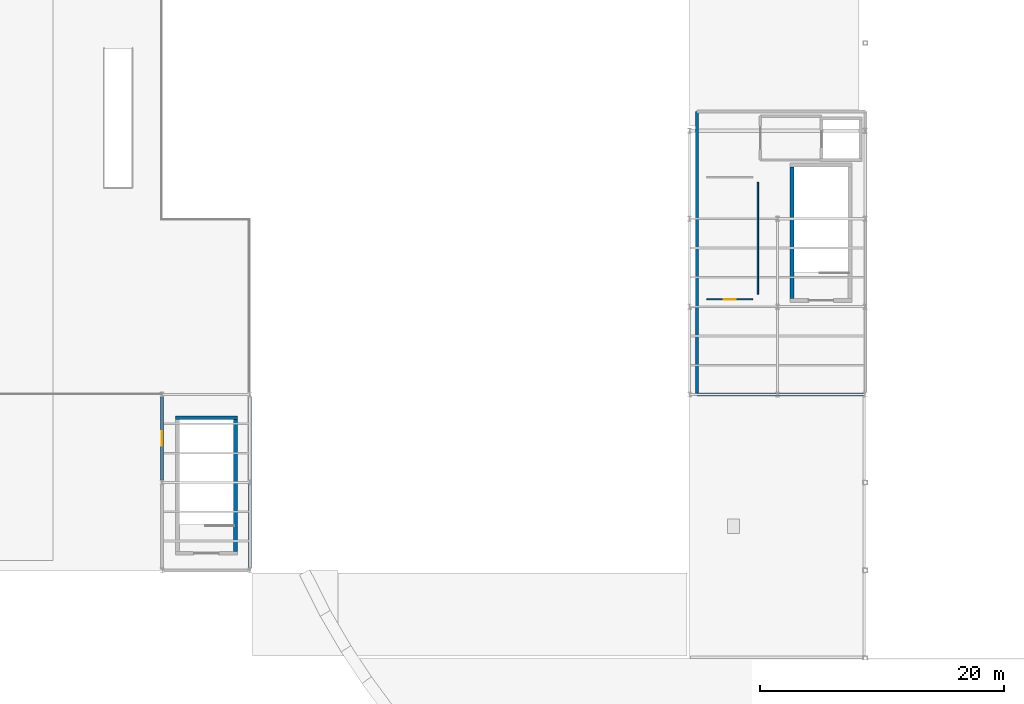
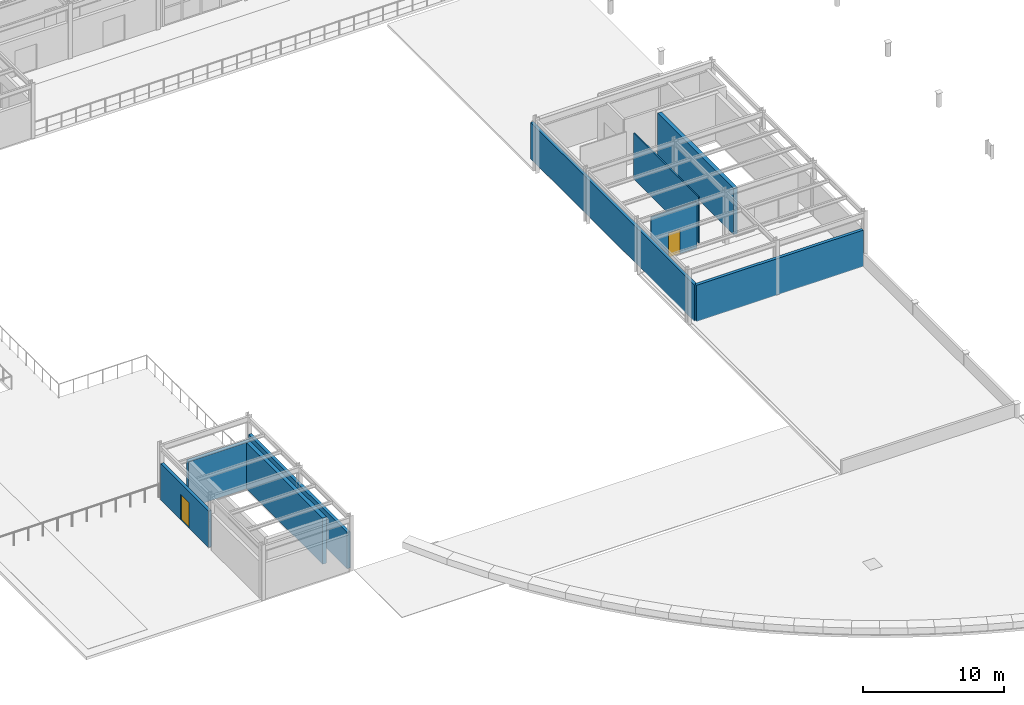
# One storey, part 33 of 41: 9 walls, 2 doors, 2 openings.
"""IFC4 building model written with IfcOpenShell, lengths in metres."""

from ifc_helpers import new_model, si_unit, direction, frame, frame_2d, origin, place, context, subcontext, project, spatial, rectangle, extrude, material, layer, layer_set, type_object, element, fill, save


model = new_model("IFC4")

# Units and contexts
model_context = context("Model", 3, precision=1e-05, world=origin(), true_north=direction((0.0, 1.0)))
body_context = subcontext(model_context, "Body", "Model", "MODEL_VIEW")
ifc_project = project(units=[si_unit("LENGTHUNIT", "METRE"), si_unit("AREAUNIT", "SQUARE_METRE"), si_unit("VOLUMEUNIT", "CUBIC_METRE"), si_unit("PLANEANGLEUNIT", "RADIAN"), si_unit("MASSUNIT", "GRAM", prefix="KILO")], contexts=[model_context])

# Site, building, storey
site_placement = place(None, origin())
site = spatial("IfcSite", under=ifc_project, at=site_placement, CompositionType="ELEMENT")
building_placement = place(site_placement, origin())
building = spatial("IfcBuilding", under=site, at=building_placement, Name="Solvadek Multi-Sports Hall", CompositionType="ELEMENT")
storey_placement = place(building_placement, frame((0.0, 0.0, 14.39990234375)))
storey = spatial("IfcBuildingStorey", under=building, at=storey_placement, Name="L03", CompositionType="ELEMENT", Elevation=14.39990234375)

# Walls
ifc_material_1 = material(Name="Dressed honey-cream limestone ashlar", Category="masonry")
ifc_layer_1 = layer(ifc_material_1, 0.25, Name="Dressed honey-cream limestone ashlar")
ifc_layer_set_1 = layer_set([ifc_layer_1], Name="Dressed honey-cream limestone ashlar")
wall_type_1 = type_object("IfcWallType", Name="ENV-WAL-EXT250", PredefinedType="SOLIDWALL", material=ifc_layer_set_1)
wall_1_placement = place(storey_placement, frame((58.199951171875, 34.800048828125, 0.0), z_axis=(0.0, 0.0, 1.0), x_axis=(1.0, 0.0, 0.0)))
element("IfcWall", 1, at=wall_1_placement, inside=storey, type_object=wall_type_1, Name="L03 Exterior Masonry Wall #302", PredefinedType="SOLIDWALL", context=body_context, shape_type="SweptSolid", body=[
    extrude(rectangle(XDim=13.64599609375, YDim=0.25, at=frame_2d((6.822998046875, 0.0))), origin(), (0.0, 0.0, 1.0), 3.150146484375),
])
wall_2_placement = place(storey_placement, frame((58.199951171875, 34.800048828125, 0.0), z_axis=(0.0, 0.0, 1.0), x_axis=(0.0, 1.0, 0.0)))
element("IfcWall", 2, at=wall_2_placement, inside=storey, type_object=wall_type_1, Name="L03 Exterior Masonry Wall #305", PredefinedType="SOLIDWALL", context=body_context, shape_type="SweptSolid", body=[
    extrude(rectangle(XDim=23.199951171875, YDim=0.25, at=frame_2d((11.60009765625, 0.0))), origin(), (0.0, 0.0, 1.0), 3.150146484375),
])
wall_3_placement = place(storey_placement, frame((21.60009765625, 20.60400390625, 0.0), z_axis=(0.0, 0.0, 1.0), x_axis=(0.0, 1.0, 0.0)))
element("IfcWall", 3, at=wall_3_placement, inside=storey, type_object=wall_type_1, Name="L03 Exterior Masonry Wall #307", PredefinedType="SOLIDWALL", context=body_context, shape_type="SweptSolid", body=[
    extrude(rectangle(XDim=13.991943359375, YDim=0.25, at=frame_2d((6.99609375, 0.0))), origin(), (0.0, 0.0, 1.0), 3.150146484375),
])

# Wall, opening, door
wall_4_placement = place(storey_placement, frame((14.39990234375, 27.803955078125, 0.0), z_axis=(0.0, 0.0, 1.0), x_axis=(0.0, 1.0, 0.0)))
wall_4 = element("IfcWall", 4, at=wall_4_placement, inside=storey, type_object=wall_type_1, Name="L03 Exterior Masonry Wall #309", PredefinedType="SOLIDWALL", context=body_context, shape_type="SweptSolid", body=[
    extrude(rectangle(XDim=6.7919921875, YDim=0.25, at=frame_2d((3.39599609375, 0.0))), origin(), (0.0, 0.0, 1.0), 3.150146484375),
])
opening_1_placement = place(wall_4_placement, frame((2.7958984375, 0.0, 0.0)))
opening_1 = element("IfcOpeningElement", 5, at=opening_1_placement, cuts=wall_4, Name="Opening D-TRK1", PredefinedType="OPENING", context=body_context, shape_type="SweptSolid", body=[
    extrude(rectangle(XDim=1.199951171875, YDim=2.199951171875, at=frame_2d((0.60009765625, 1.10009765625))), frame((0.0, 0.135009765625, 0.0), z_axis=(0.0, -1.0, 0.0), x_axis=(1.0, 0.0, 0.0)), (0.0, 0.0, 1.0), 0.27001953125),
])
ifc_material_2 = material(Name="Anodised aluminium", Category="aluminium")
door_type_1 = type_object("IfcDoorType", Name="ENV-DOR-TRK120X220", OperationType="NOTDEFINED", PredefinedType="DOOR", material=ifc_material_2)
door_1_placement = place(opening_1_placement, origin())
door_1 = element("IfcDoor", 6, at=door_1_placement, inside=storey, type_object=door_type_1, Name="Headhouse Track Access Door", OperationType="SINGLE_SWING_LEFT", OverallHeight=2.199951171875, OverallWidth=1.199951171875, PredefinedType="DOOR", context=body_context, shape_type="SweptSolid", body=[
    extrude(rectangle(XDim=1.199951171875, YDim=2.199951171875, at=frame_2d((0.60009765625, 1.10009765625))), frame((0.0, 0.02490234375, 0.0), z_axis=(0.0, -1.0, 0.0), x_axis=(1.0, 0.0, 0.0)), (0.0, 0.0, 1.0), 0.050048828125),
])
fill(opening_1, door_1)

ifc_material_3 = material(Name="Autoclaved aerated concrete blockwork", Category="masonry")
ifc_layer_2 = layer(ifc_material_3, 0.10498046875, Name="Autoclaved aerated concrete blockwork")
ifc_layer_set_2 = layer_set([ifc_layer_2], Name="Autoclaved aerated concrete blockwork")
wall_type_2 = type_object("IfcWallType", Name="INT-WAL-PRT105", PredefinedType="PARTITIONING", material=ifc_layer_set_2)
wall_5_placement = place(storey_placement, frame((59.02001953125, 42.60009765625, 0.0), z_axis=(0.0, 0.0, 1.0), x_axis=(1.0, 0.0, 0.0)))
wall_5 = element("IfcWall", 7, at=wall_5_placement, inside=storey, type_object=wall_type_2, Name="L03 Partition Wall L03-07 S", PredefinedType="PARTITIONING", context=body_context, shape_type="SweptSolid", body=[
    extrude(rectangle(XDim=3.760009765625, YDim=0.10498046875, at=frame_2d((1.8798828125, 0.0))), origin(), (0.0, 0.0, 1.0), 3.985107421875),
])
opening_2_placement = place(wall_5_placement, frame((1.405029296875, 0.0, 0.0)))
opening_2 = element("IfcOpeningElement", 8, at=opening_2_placement, cuts=wall_5, Name="Opening D-02", PredefinedType="OPENING", context=body_context, shape_type="SweptSolid", body=[
    extrude(rectangle(XDim=0.949951171875, YDim=2.10009765625, at=frame_2d((0.47509765625, 1.050048828125))), frame((0.0, 0.0625, 0.0), z_axis=(0.0, -1.0, 0.0), x_axis=(1.0, 0.0, 0.0)), (0.0, 0.0, 1.0), 0.125),
])
ifc_material_4 = material(Name="Teak hardwood timber", Category="wood")
door_type_2 = type_object("IfcDoorType", Name="INT-DOR-RM095X210", OperationType="NOTDEFINED", PredefinedType="DOOR", material=ifc_material_4)
door_2_placement = place(opening_2_placement, origin())
door_2 = element("IfcDoor", 9, at=door_2_placement, inside=storey, type_object=door_type_2, Name="L03 L03-07 Door #61", OperationType="SINGLE_SWING_RIGHT", OverallHeight=2.10009765625, OverallWidth=0.949951171875, PredefinedType="DOOR", context=body_context, shape_type="SweptSolid", body=[
    extrude(rectangle(XDim=0.949951171875, YDim=2.10009765625, at=frame_2d((0.47509765625, 1.050048828125))), frame((0.0, 0.02490234375, 0.0), z_axis=(0.0, -1.0, 0.0), x_axis=(1.0, 0.0, 0.0)), (0.0, 0.0, 1.0), 0.050048828125),
])
fill(opening_2, door_2)

# Walls
wall_6_placement = place(storey_placement, frame((63.199951171875, 43.02001953125, 0.0), z_axis=(0.0, 0.0, 1.0), x_axis=(0.0, 1.0, 0.0)))
element("IfcWall", 10, at=wall_6_placement, inside=storey, type_object=wall_type_2, Name="L03 Partition Wall L03-07 E", PredefinedType="PARTITIONING", context=body_context, shape_type="SweptSolid", body=[
    extrude(rectangle(XDim=9.159912109375, YDim=0.10498046875, at=frame_2d((4.580078125, 0.0))), origin(), (0.0, 0.0, 1.0), 3.985107421875),
])
ifc_material_5 = material(Name="Concrete M40", Category="concrete")
ifc_layer_3 = layer(ifc_material_5, 0.320068359375, Name="Concrete M40")
ifc_layer_set_3 = layer_set([ifc_layer_3], Name="Concrete M40")
wall_type_3 = type_object("IfcWallType", Name="INT-WAL-SHR320", PredefinedType="SHEAR", material=ifc_layer_set_3)
wall_7_placement = place(storey_placement, frame((15.489990234375, 32.89990234375, 0.0), z_axis=(0.0, 0.0, 1.0), x_axis=(1.0, 0.0, 0.0)))
element("IfcWall", 11, at=wall_7_placement, inside=storey, type_object=wall_type_3, Name="L03 Stair ST-01 Shear Wall N", PredefinedType="SHEAR", context=body_context, shape_type="SweptSolid", body=[
    extrude(rectangle(XDim=5.070068359375, YDim=0.320068359375, at=frame_2d((2.53515625, 0.0))), origin(), (0.0, 0.0, 1.0), 4.0),
])
for number, where, z_axis, x_axis, name in (
    (12, (20.39990234375, 21.9599609375, 0.0), (0.0, 0.0, 1.0), (0.0, 1.0, 0.0), "L03 Stair ST-01 Shear Wall E"),
    (13, (66.0, 42.659912109375, 0.0), (0.0, 0.0, 1.0), (0.0, 1.0, 0.0), "L03 Stair ST-04 Shear Wall W"),
):
    element("IfcWall", number, at=place(storey_placement, frame(where, z_axis=z_axis, x_axis=x_axis)), inside=storey, type_object=wall_type_3, Name=name, PredefinedType="SHEAR", context=body_context, shape_type="SweptSolid", body=[
        extrude(rectangle(XDim=10.780029296875, YDim=0.320068359375, at=frame_2d((5.39013671875, 0.0))), origin(), (0.0, 0.0, 1.0), 4.0),
    ])

save(model, "model.ifc")
